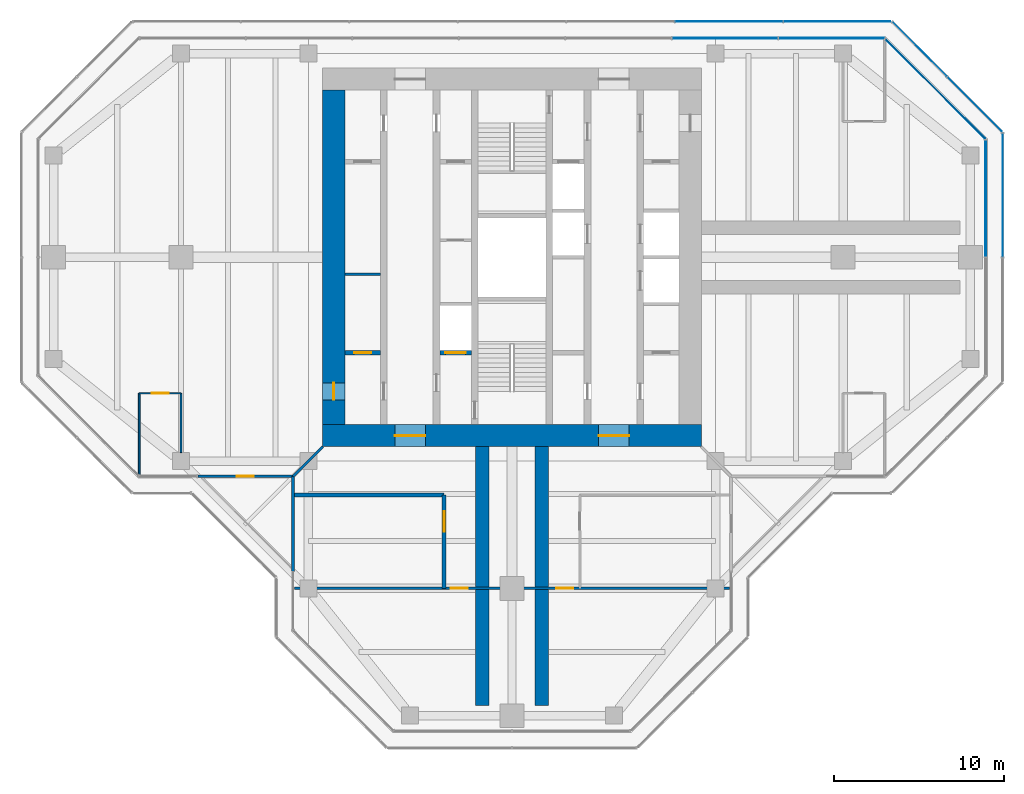
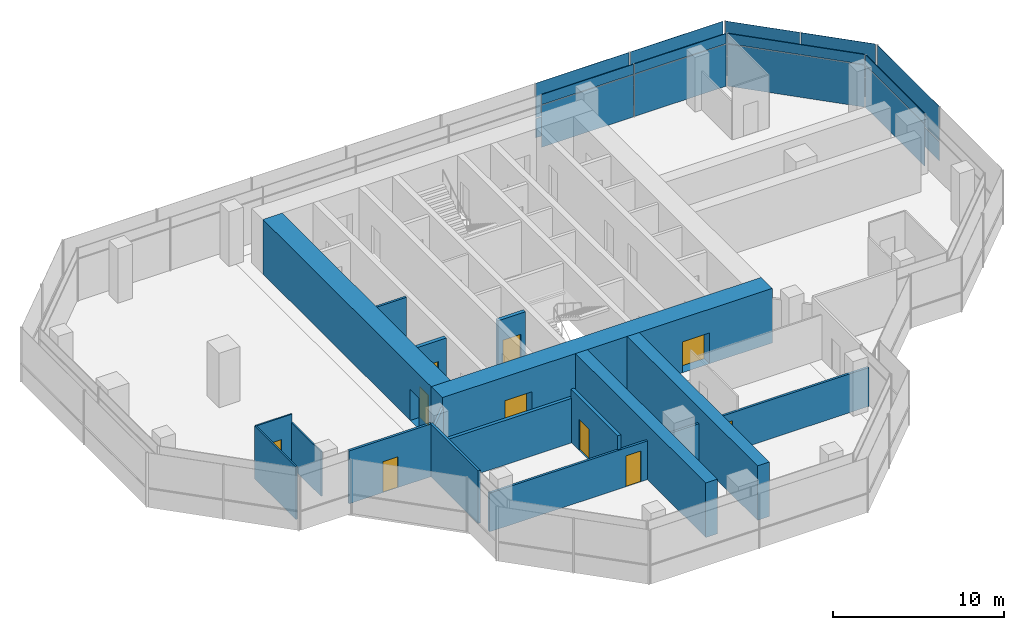
# One storey, part 11 of 15: 18 plates, 16 walls, 10 doors, 10 openings, 6 elements without a shape of their own.
"""IFC4 building model written with IfcOpenShell, lengths in metres."""

from ifc_helpers import new_model, si_unit, direction, frame, frame_2d, origin, origin_2d, place, context, subcontext, project, spatial, rectangle, extrude, material, layer, layer_set, type_object, element, fill, aggregate, save


model = new_model("IFC4")

# Units and contexts
model_context = context("Model", 3, precision=1e-05, world=origin(), true_north=direction((0.0, 1.0)))
body_context = subcontext(model_context, "Body", "Model", "MODEL_VIEW")
ifc_project = project(units=[si_unit("LENGTHUNIT", "METRE"), si_unit("AREAUNIT", "SQUARE_METRE"), si_unit("VOLUMEUNIT", "CUBIC_METRE"), si_unit("PLANEANGLEUNIT", "RADIAN"), si_unit("MASSUNIT", "GRAM", prefix="KILO")], contexts=[model_context])

# Site, building, storey
site_placement = place(None, origin())
site = spatial("IfcSite", under=ifc_project, at=site_placement, CompositionType="ELEMENT")
building_placement = place(site_placement, origin())
building = spatial("IfcBuilding", under=site, at=building_placement, Name="Mizan Broadcast Tower", CompositionType="ELEMENT")
storey_placement = place(building_placement, frame((0.0, 0.0, 279.0)))
storey = spatial("IfcBuildingStorey", under=building, at=storey_placement, Name="L66", CompositionType="ELEMENT", Elevation=279.0)

# Curtain wall, plate
ifc_material_1 = material(Name="Aluminium framed glazing", Category="aluminium")
curtain_wall_type_1 = type_object("IfcCurtainWallType", Name="INNER SKIN TOP ZONE", PredefinedType="USERDEFINED", material=ifc_material_1)
curtain_wall_1_placement = place(storey_placement, origin())
curtain_wall_1 = element("IfcCurtainWall", 1, at=curtain_wall_1_placement, inside=storey, type_object=curtain_wall_type_1, Name="Inner skin top zone L66 E end", ObjectType="INNER SKIN TOP ZONE", PredefinedType="USERDEFINED")
ifc_material_2 = material(Name="Double glazing, clear low-e", Category="glass")
ifc_layer_1 = layer(ifc_material_2, 0.028076171875)
ifc_layer_set_1 = layer_set([ifc_layer_1], Name="Double glazing, clear low-e")
plate_type_1 = type_object("IfcPlateType", Name="INNER SKIN GLAZING UNIT", PredefinedType="CURTAIN_PANEL", material=ifc_layer_set_1)
plate_1_placement = place(storey_placement, frame((27.89990234375, 3.46435546875, 0.0), z_axis=(0.0, 0.0, 1.0), x_axis=(0.0, 1.0, 0.0)))
plate_1 = element("IfcPlate", 2, at=plate_1_placement, type_object=plate_type_1, Name="Inner skin top zone L66 E end panel 2.1", PredefinedType="CURTAIN_PANEL", context=body_context, shape_type="SweptSolid", body=[
    extrude(rectangle(XDim=6.86865234375, YDim=0.028076171875, at=origin_2d()), origin(), (0.0, 0.0, 1.0), 3.0),
])

curtain_wall_2_placement = place(storey_placement, origin())
curtain_wall_2 = element("IfcCurtainWall", 3, at=curtain_wall_2_placement, inside=storey, type_object=curtain_wall_type_1, Name="Inner skin top zone L66 E chamfer", ObjectType="INNER SKIN TOP ZONE", PredefinedType="USERDEFINED")
plate_2_placement = place(storey_placement, frame((24.92919921875, 9.92919921875, 0.0), z_axis=(0.0, 0.0, 1.0), x_axis=(-0.707106781187, 0.707106781187, 0.0)))
plate_2 = element("IfcPlate", 4, at=plate_2_placement, type_object=plate_type_1, Name="Inner skin top zone L66 E chamfer panel 1.1", PredefinedType="CURTAIN_PANEL", context=body_context, shape_type="SweptSolid", body=[
    extrude(rectangle(XDim=8.282470703125, YDim=0.028076171875, at=origin_2d()), origin(), (0.0, 0.0, 1.0), 3.0),
])

# Curtain wall, plates
curtain_wall_3_placement = place(storey_placement, origin())
curtain_wall_3 = element("IfcCurtainWall", 5, at=curtain_wall_3_placement, inside=storey, type_object=curtain_wall_type_1, Name="Inner skin top zone L66 N end", ObjectType="INNER SKIN TOP ZONE", PredefinedType="USERDEFINED")
plate_3_placement = place(storey_placement, frame((18.806640625, 12.89990234375, 0.0), z_axis=(0.0, 0.0, 1.0), x_axis=(-1.0, 0.0, 0.0)))
plate_3 = element("IfcPlate", 6, at=plate_3_placement, type_object=plate_type_1, Name="Inner skin top zone L66 N end panel 1.1", PredefinedType="CURTAIN_PANEL", context=body_context, shape_type="SweptSolid", body=[
    extrude(rectangle(XDim=6.183837890625, YDim=0.028076171875, at=origin_2d()), origin(), (0.0, 0.0, 1.0), 3.0),
])
plate_4_placement = place(storey_placement, frame((12.5478515625, 12.89990234375, 0.0), z_axis=(0.0, 0.0, 1.0), x_axis=(-1.0, 0.0, 0.0)))
plate_4 = element("IfcPlate", 7, at=plate_4_placement, type_object=plate_type_1, Name="Inner skin top zone L66 N end panel 2.1", PredefinedType="CURTAIN_PANEL", context=body_context, shape_type="SweptSolid", body=[
    extrude(rectangle(XDim=6.2138671875, YDim=0.028076171875, at=origin_2d()), origin(), (0.0, 0.0, 1.0), 3.0),
])

# Plate
ifc_material_3 = material(Name="Insulated aluminium spandrel panel, pale anodised", Category="aluminium")
ifc_layer_2 = layer(ifc_material_3, 0.050048828125)
ifc_layer_set_2 = layer_set([ifc_layer_2], Name="Insulated aluminium spandrel panel, pale anodised")
plate_type_2 = type_object("IfcPlateType", Name="INNER SKIN SPANDREL PANEL", PredefinedType="CURTAIN_PANEL", material=ifc_layer_set_2)
plate_5_placement = place(storey_placement, frame((27.89990234375, 3.46435546875, 3.06005859375), z_axis=(0.0, 0.0, 1.0), x_axis=(0.0, 1.0, 0.0)))
plate_5 = element("IfcPlate", 8, at=plate_5_placement, type_object=plate_type_2, Name="Inner skin top zone L66 E end panel 2.2", PredefinedType="CURTAIN_PANEL", context=body_context, shape_type="SweptSolid", body=[
    extrude(rectangle(XDim=6.86865234375, YDim=0.050048828125, at=origin_2d()), origin(), (0.0, 0.0, 1.0), 0.7099609375),
])

aggregate(curtain_wall_1, [plate_1, plate_5])

plate_6_placement = place(storey_placement, frame((24.92919921875, 9.92919921875, 3.06005859375), z_axis=(0.0, 0.0, 1.0), x_axis=(-0.707106781187, 0.707106781187, 0.0)))
plate_6 = element("IfcPlate", 9, at=plate_6_placement, type_object=plate_type_2, Name="Inner skin top zone L66 E chamfer panel 1.2", PredefinedType="CURTAIN_PANEL", context=body_context, shape_type="SweptSolid", body=[
    extrude(rectangle(XDim=8.282470703125, YDim=0.050048828125, at=origin_2d()), origin(), (0.0, 0.0, 1.0), 0.7099609375),
])

aggregate(curtain_wall_2, [plate_2, plate_6])

plate_7_placement = place(storey_placement, frame((18.806640625, 12.89990234375, 3.06005859375), z_axis=(0.0, 0.0, 1.0), x_axis=(-1.0, 0.0, 0.0)))
plate_7 = element("IfcPlate", 10, at=plate_7_placement, type_object=plate_type_2, Name="Inner skin top zone L66 N end panel 1.2", PredefinedType="CURTAIN_PANEL", context=body_context, shape_type="SweptSolid", body=[
    extrude(rectangle(XDim=6.183837890625, YDim=0.050048828125, at=origin_2d()), origin(), (0.0, 0.0, 1.0), 0.7099609375),
])

plate_8_placement = place(storey_placement, frame((12.5478515625, 12.89990234375, 3.06005859375), z_axis=(0.0, 0.0, 1.0), x_axis=(-1.0, 0.0, 0.0)))
plate_8 = element("IfcPlate", 11, at=plate_8_placement, type_object=plate_type_2, Name="Inner skin top zone L66 N end panel 2.2", PredefinedType="CURTAIN_PANEL", context=body_context, shape_type="SweptSolid", body=[
    extrude(rectangle(XDim=6.2138671875, YDim=0.050048828125, at=origin_2d()), origin(), (0.0, 0.0, 1.0), 0.7099609375),
])

aggregate(curtain_wall_3, [plate_3, plate_7, plate_4, plate_8])

# Curtain wall, plates
ifc_material_4 = material(Name="Aluminium framed glazing", Category="aluminium")
curtain_wall_type_2 = type_object("IfcCurtainWallType", Name="OUTER SKIN", PredefinedType="USERDEFINED", material=ifc_material_4)
curtain_wall_4_placement = place(storey_placement, origin())
curtain_wall_4 = element("IfcCurtainWall", 12, at=curtain_wall_4_placement, inside=storey, type_object=curtain_wall_type_2, Name="Outer skin L66 E chamfer", ObjectType="OUTER SKIN", PredefinedType="USERDEFINED")
ifc_material_5 = material(Name="Laminated clear glass", Category="glass")
ifc_layer_3 = layer(ifc_material_5, 0.02001953125)
ifc_layer_set_3 = layer_set([ifc_layer_3], Name="Laminated clear glass")
plate_type_3 = type_object("IfcPlateType", Name="OUTER SKIN CLEAR GLASS", PredefinedType="CURTAIN_PANEL", material=ifc_layer_set_3)
plate_9_placement = place(storey_placement, frame((27.254150390625, 9.018798828125, 0.0), z_axis=(0.0, 0.0, 1.0), x_axis=(-0.707106781187, 0.707106781187, 0.0)))
plate_9 = element("IfcPlate", 13, at=plate_9_placement, type_object=plate_type_3, Name="Outer skin L66 E chamfer panel 1.1", PredefinedType="CURTAIN_PANEL", context=body_context, shape_type="SweptSolid", body=[
    extrude(rectangle(XDim=4.495361328125, YDim=0.02001953125, at=origin_2d()), origin(), (0.0, 0.0, 1.0), 1.3701171875),
])
plate_10_placement = place(storey_placement, frame((27.254150390625, 9.018798828125, 1.43017578125), z_axis=(0.0, 0.0, 1.0), x_axis=(-0.707106781187, 0.707106781187, 0.0)))
plate_10 = element("IfcPlate", 14, at=plate_10_placement, type_object=plate_type_3, Name="Outer skin L66 E chamfer panel 1.2", PredefinedType="CURTAIN_PANEL", context=body_context, shape_type="SweptSolid", body=[
    extrude(rectangle(XDim=4.495361328125, YDim=0.02001953125, at=origin_2d()), origin(), (0.0, 0.0, 1.0), 2.469970703125),
])

curtain_wall_5_placement = place(storey_placement, origin())
curtain_wall_5 = element("IfcCurtainWall", 15, at=curtain_wall_5_placement, inside=storey, type_object=curtain_wall_type_2, Name="Outer skin L66 N end", ObjectType="OUTER SKIN", PredefinedType="USERDEFINED")
plate_11_placement = place(storey_placement, frame((19.15673828125, 13.89990234375, 0.0), z_axis=(0.0, 0.0, 1.0), x_axis=(-1.0, 0.0, 0.0)))
plate_11 = element("IfcPlate", 16, at=plate_11_placement, type_object=plate_type_3, Name="Outer skin L66 N end panel 1.1", PredefinedType="CURTAIN_PANEL", context=body_context, shape_type="SweptSolid", body=[
    extrude(rectangle(XDim=6.272216796875, YDim=0.02001953125, at=origin_2d()), origin(), (0.0, 0.0, 1.0), 1.3701171875),
])
plate_12_placement = place(storey_placement, frame((19.15673828125, 13.89990234375, 1.43017578125), z_axis=(0.0, 0.0, 1.0), x_axis=(-1.0, 0.0, 0.0)))
plate_12 = element("IfcPlate", 17, at=plate_12_placement, type_object=plate_type_3, Name="Outer skin L66 N end panel 1.2", PredefinedType="CURTAIN_PANEL", context=body_context, shape_type="SweptSolid", body=[
    extrude(rectangle(XDim=6.272216796875, YDim=0.02001953125, at=origin_2d()), origin(), (0.0, 0.0, 1.0), 2.469970703125),
])
plate_13_placement = place(storey_placement, frame((12.784423828125, 13.89990234375, 0.0), z_axis=(0.0, 0.0, 1.0), x_axis=(-1.0, 0.0, 0.0)))
plate_13 = element("IfcPlate", 18, at=plate_13_placement, type_object=plate_type_3, Name="Outer skin L66 N end panel 2.1", PredefinedType="CURTAIN_PANEL", context=body_context, shape_type="SweptSolid", body=[
    extrude(rectangle(XDim=6.312255859375, YDim=0.02001953125, at=origin_2d()), origin(), (0.0, 0.0, 1.0), 1.3701171875),
])
plate_14_placement = place(storey_placement, frame((12.784423828125, 13.89990234375, 1.43017578125), z_axis=(0.0, 0.0, 1.0), x_axis=(-1.0, 0.0, 0.0)))
plate_14 = element("IfcPlate", 19, at=plate_14_placement, type_object=plate_type_3, Name="Outer skin L66 N end panel 2.2", PredefinedType="CURTAIN_PANEL", context=body_context, shape_type="SweptSolid", body=[
    extrude(rectangle(XDim=6.312255859375, YDim=0.02001953125, at=origin_2d()), origin(), (0.0, 0.0, 1.0), 2.469970703125),
])
aggregate(curtain_wall_5, [plate_11, plate_12, plate_13, plate_14])

curtain_wall_6_placement = place(storey_placement, origin())
curtain_wall_6 = element("IfcCurtainWall", 20, at=curtain_wall_6_placement, inside=storey, type_object=curtain_wall_type_2, Name="Outer skin L66 E end", ObjectType="OUTER SKIN", PredefinedType="USERDEFINED")
ifc_material_6 = material(Name="Perforated aluminium, pale anodised", Category="aluminium")
ifc_layer_4 = layer(ifc_material_6, 0.011962890625)
ifc_layer_set_4 = layer_set([ifc_layer_4], Name="Perforated aluminium, pale anodised")
plate_type_4 = type_object("IfcPlateType", Name="OUTER SKIN PERFORATED SCREEN", PredefinedType="USERDEFINED", material=ifc_layer_set_4)
plate_15_placement = place(storey_placement, frame((28.89990234375, 3.66650390625, 0.0), z_axis=(0.0, 0.0, 1.0), x_axis=(0.0, 1.0, 0.0)))
plate_15 = element("IfcPlate", 21, at=plate_15_placement, type_object=plate_type_4, Name="Outer skin L66 E end panel 2.1", ObjectType="SCREEN", PredefinedType="USERDEFINED", context=body_context, shape_type="SweptSolid", body=[
    extrude(rectangle(XDim=7.252685546875, YDim=0.011962890625, at=origin_2d()), origin(), (0.0, 0.0, 1.0), 1.3701171875),
])
plate_16_placement = place(storey_placement, frame((28.89990234375, 3.66650390625, 1.43017578125), z_axis=(0.0, 0.0, 1.0), x_axis=(0.0, 1.0, 0.0)))
plate_16 = element("IfcPlate", 22, at=plate_16_placement, type_object=plate_type_4, Name="Outer skin L66 E end panel 2.2", ObjectType="SCREEN", PredefinedType="USERDEFINED", context=body_context, shape_type="SweptSolid", body=[
    extrude(rectangle(XDim=7.252685546875, YDim=0.011962890625, at=origin_2d()), origin(), (0.0, 0.0, 1.0), 2.469970703125),
])
aggregate(curtain_wall_6, [plate_15, plate_16])

# Plate
plate_17_placement = place(storey_placement, frame((24.018798828125, 12.254150390625, 0.0), z_axis=(0.0, 0.0, 1.0), x_axis=(-0.707106781187, 0.707106781187, 0.0)))
plate_17 = element("IfcPlate", 23, at=plate_17_placement, type_object=plate_type_4, Name="Outer skin L66 E chamfer panel 2.1", ObjectType="SCREEN", PredefinedType="USERDEFINED", context=body_context, shape_type="SweptSolid", body=[
    extrude(rectangle(XDim=4.495361328125, YDim=0.011962890625, at=origin_2d()), origin(), (0.0, 0.0, 1.0), 1.3701171875),
])

plate_18_placement = place(storey_placement, frame((24.018798828125, 12.254150390625, 1.43017578125), z_axis=(0.0, 0.0, 1.0), x_axis=(-0.707106781187, 0.707106781187, 0.0)))
plate_18 = element("IfcPlate", 24, at=plate_18_placement, type_object=plate_type_4, Name="Outer skin L66 E chamfer panel 2.2", ObjectType="SCREEN", PredefinedType="USERDEFINED", context=body_context, shape_type="SweptSolid", body=[
    extrude(rectangle(XDim=4.495361328125, YDim=0.011962890625, at=origin_2d()), origin(), (0.0, 0.0, 1.0), 2.469970703125),
])

aggregate(curtain_wall_4, [plate_9, plate_10, plate_17, plate_18])

# Wall
ifc_material_7 = material(Name="Concrete blockwork", Category="masonry")
ifc_layer_5 = layer(ifc_material_7, 0.14990234375)
ifc_layer_set_5 = layer_set([ifc_layer_5], Name="Concrete blockwork")
wall_type_1 = type_object("IfcWallType", Name="CORE PARTITION 150", PredefinedType="SOLIDWALL", material=ifc_layer_set_5)
wall_1_placement = place(storey_placement, frame((-9.85009765625, -1.0, 0.0), z_axis=(0.0, 0.0, 1.0), x_axis=(1.0, 0.0, 0.0)))
element("IfcWall", 25, at=wall_1_placement, inside=storey, type_object=wall_type_1, Name="Core partition CORE/XP1", PredefinedType="SOLIDWALL", context=body_context, shape_type="SweptSolid", body=[
    extrude(rectangle(XDim=2.10009765625, YDim=0.14990234375, at=frame_2d((1.050048828125, 0.0))), origin(), (0.0, 0.0, 1.0), 3.77001953125),
])

# Wall, openings, doors
ifc_material_8 = material(Name="Concrete C70/85", Category="concrete")
ifc_layer_6 = layer(ifc_material_8, 1.300048828125)
ifc_layer_set_6 = layer_set([ifc_layer_6], Name="Concrete C70/85")
wall_type_2 = type_object("IfcWallType", Name="CORE WALL 1300", PredefinedType="SHEAR", material=ifc_layer_set_6)
wall_2_placement = place(storey_placement, frame((11.14990234375, -10.5, 0.0), z_axis=(0.0, 0.0, 1.0), x_axis=(-1.0, 0.0, 0.0)))
wall_2 = element("IfcWall", 26, at=wall_2_placement, inside=storey, type_object=wall_type_2, Name="Core wall S L66", PredefinedType="SHEAR", context=body_context, shape_type="SweptSolid", body=[
    extrude(rectangle(XDim=22.2998046875, YDim=1.300048828125, at=frame_2d((11.14990234375, 0.0))), origin(), (0.0, 0.0, 1.0), 3.89990234375),
])
opening_1_placement = place(wall_2_placement, frame((16.25, 0.0, 0.0)))
opening_1 = element("IfcOpeningElement", 27, at=opening_1_placement, cuts=wall_2, Name="Opening D18F", PredefinedType="OPENING", context=body_context, shape_type="SweptSolid", body=[
    extrude(rectangle(XDim=1.800048828125, YDim=2.199951171875, at=frame_2d((0.89990234375, 1.10009765625))), frame((0.0, 0.659912109375, 0.0), z_axis=(0.0, -1.0, 0.0), x_axis=(1.0, 0.0, 0.0)), (0.0, 0.0, 1.0), 1.320068359375),
])
opening_2_placement = place(wall_2_placement, frame((4.25, 0.0, 0.0)))
opening_2 = element("IfcOpeningElement", 28, at=opening_2_placement, cuts=wall_2, Name="Opening D18F", PredefinedType="OPENING", context=body_context, shape_type="SweptSolid", body=[
    extrude(rectangle(XDim=1.800048828125, YDim=2.199951171875, at=frame_2d((0.89990234375, 1.10009765625))), frame((0.0, 0.659912109375, 0.0), z_axis=(0.0, -1.0, 0.0), x_axis=(1.0, 0.0, 0.0)), (0.0, 0.0, 1.0), 1.320068359375),
])
ifc_material_9 = material(Name="Steel door leaf in steel frame", Category="steel")
door_type_1 = type_object("IfcDoorType", Name="LOBBY DOUBLE DOOR 1800 FD90", OperationType="DOUBLE_DOOR_DOUBLE_SWING", PredefinedType="DOOR", material=ifc_material_9)
door_1_placement = place(opening_1_placement, origin())
door_1 = element("IfcDoor", 29, at=door_1_placement, inside=storey, type_object=door_type_1, Name="West lift lobby south door", OperationType="DOUBLE_DOOR_DOUBLE_SWING", OverallHeight=2.199951171875, OverallWidth=1.800048828125, PredefinedType="DOOR", context=body_context, shape_type="SweptSolid", body=[
    extrude(rectangle(XDim=1.800048828125, YDim=2.199951171875, at=frame_2d((0.89990234375, 1.10009765625))), frame((0.0, 0.02490234375, 0.0), z_axis=(0.0, -1.0, 0.0), x_axis=(1.0, 0.0, 0.0)), (0.0, 0.0, 1.0), 0.050048828125),
])
fill(opening_1, door_1)
door_2_placement = place(opening_2_placement, origin())
door_2 = element("IfcDoor", 30, at=door_2_placement, inside=storey, type_object=door_type_1, Name="East lift lobby south door", OperationType="DOUBLE_DOOR_DOUBLE_SWING", OverallHeight=2.199951171875, OverallWidth=1.800048828125, PredefinedType="DOOR", context=body_context, shape_type="SweptSolid", body=[
    extrude(rectangle(XDim=1.800048828125, YDim=2.199951171875, at=frame_2d((0.89990234375, 1.10009765625))), frame((0.0, 0.02490234375, 0.0), z_axis=(0.0, -1.0, 0.0), x_axis=(1.0, 0.0, 0.0)), (0.0, 0.0, 1.0), 0.050048828125),
])
fill(opening_2, door_2)

# Wall, opening, door
wall_3_placement = place(storey_placement, frame((-10.5, 9.85009765625, 0.0), z_axis=(0.0, 0.0, 1.0), x_axis=(0.0, -1.0, 0.0)))
wall_3 = element("IfcWall", 31, at=wall_3_placement, inside=storey, type_object=wall_type_2, Name="Core wall W L66", PredefinedType="SHEAR", context=body_context, shape_type="SweptSolid", body=[
    extrude(rectangle(XDim=19.7001953125, YDim=1.300048828125, at=frame_2d((9.85009765625, 0.0))), origin(), (0.0, 0.0, 1.0), 3.89990234375),
])
opening_3_placement = place(wall_3_placement, frame((17.25, 0.0, 0.0)))
opening_3 = element("IfcOpeningElement", 32, at=opening_3_placement, cuts=wall_3, Name="Opening D10F", PredefinedType="OPENING", context=body_context, shape_type="SweptSolid", body=[
    extrude(rectangle(XDim=1.0, YDim=2.199951171875, at=frame_2d((0.5, 1.10009765625))), frame((0.0, 0.659912109375, 0.0), z_axis=(0.0, -1.0, 0.0), x_axis=(1.0, 0.0, 0.0)), (0.0, 0.0, 1.0), 1.320068359375),
])
ifc_material_10 = material(Name="Steel door leaf in steel frame", Category="steel")
door_type_2 = type_object("IfcDoorType", Name="FIRE DOOR 1000 FD90", OperationType="SINGLE_SWING_LEFT", PredefinedType="DOOR", material=ifc_material_10)
door_3_placement = place(opening_3_placement, origin())
door_3 = element("IfcDoor", 33, at=door_3_placement, inside=storey, type_object=door_type_2, Name="West core passage arm door", OperationType="SINGLE_SWING_RIGHT", OverallHeight=2.199951171875, OverallWidth=1.0, PredefinedType="DOOR", context=body_context, shape_type="SweptSolid", body=[
    extrude(rectangle(XDim=1.0, YDim=2.199951171875, at=frame_2d((0.5, 1.10009765625))), frame((0.0, 0.02490234375, 0.0), z_axis=(0.0, -1.0, 0.0), x_axis=(1.0, 0.0, 0.0)), (0.0, 0.0, 1.0), 0.050048828125),
])
fill(opening_3, door_3)

ifc_material_11 = material(Name="Aluminium framed glazed screen", Category="aluminium")
ifc_layer_7 = layer(ifc_material_11, 0.159912109375)
ifc_layer_set_7 = layer_set([ifc_layer_7], Name="Aluminium framed glazed screen")
wall_type_3 = type_object("IfcWallType", Name="GLAZED SCREEN WALL 160", PredefinedType="SOLIDWALL", material=ifc_layer_set_7)
wall_4_placement = place(storey_placement, frame((-18.5, -12.89990234375, 0.0), z_axis=(0.0, 0.0, 1.0), x_axis=(1.0, 0.0, 0.0)))
wall_4 = element("IfcWall", 34, at=wall_4_placement, inside=storey, type_object=wall_type_3, Name="Winter garden screen L66 W", PredefinedType="SOLIDWALL", context=body_context, shape_type="SweptSolid", body=[
    extrude(rectangle(XDim=5.60009765625, YDim=0.159912109375, at=frame_2d((2.800048828125, 0.0))), origin(), (0.0, 0.0, 1.0), 3.77001953125),
])
opening_4_placement = place(wall_4_placement, frame((2.300048828125, 0.0, 0.0)))
opening_4 = element("IfcOpeningElement", 35, at=opening_4_placement, cuts=wall_4, Name="Opening WGD", PredefinedType="OPENING", context=body_context, shape_type="SweptSolid", body=[
    extrude(rectangle(XDim=1.0, YDim=2.199951171875, at=frame_2d((0.5, 1.10009765625))), frame((0.0, 0.08984375, 0.0), z_axis=(0.0, -1.0, 0.0), x_axis=(1.0, 0.0, 0.0)), (0.0, 0.0, 1.0), 0.179931640625),
])
ifc_material_12 = material(Name="Aluminium framed glazed door", Category="aluminium")
door_type_3 = type_object("IfcDoorType", Name="WINTER GARDEN DOOR 1000 GLAZED", OperationType="SINGLE_SWING_LEFT", PredefinedType="DOOR", material=ifc_material_12)
door_4_placement = place(opening_4_placement, origin())
door_4 = element("IfcDoor", 36, at=door_4_placement, inside=storey, type_object=door_type_3, Name="Winter garden door L66 W", OperationType="SINGLE_SWING_RIGHT", OverallHeight=2.199951171875, OverallWidth=1.0, PredefinedType="DOOR", context=body_context, shape_type="SweptSolid", body=[
    extrude(rectangle(XDim=1.0, YDim=2.199951171875, at=frame_2d((0.5, 1.10009765625))), frame((0.0, 0.02490234375, 0.0), z_axis=(0.0, -1.0, 0.0), x_axis=(1.0, 0.0, 0.0)), (0.0, 0.0, 1.0), 0.050048828125),
])
fill(opening_4, door_4)

# Wall
wall_5_placement = place(storey_placement, frame((-12.89990234375, -12.89990234375, 0.0), z_axis=(0.0, 0.0, 1.0), x_axis=(0.0, -1.0, 0.0)))
element("IfcWall", 37, at=wall_5_placement, inside=storey, type_object=wall_type_3, Name="Winter garden screen L66 S", PredefinedType="SOLIDWALL", context=body_context, shape_type="SweptSolid", body=[
    extrude(rectangle(XDim=5.60009765625, YDim=0.159912109375, at=frame_2d((2.800048828125, 0.0))), origin(), (0.0, 0.0, 1.0), 3.77001953125),
])

# Wall, opening, door
ifc_material_13 = material(Name="Concrete blockwork", Category="masonry")
ifc_layer_8 = layer(ifc_material_13, 0.25)
ifc_layer_set_8 = layer_set([ifc_layer_8], Name="Concrete blockwork")
wall_type_4 = type_object("IfcWallType", Name="LOBBY ENCLOSURE WALL 250", PredefinedType="SOLIDWALL", material=ifc_layer_set_8)
wall_6_placement = place(storey_placement, frame((-9.85009765625, -5.625, 0.0), z_axis=(0.0, 0.0, 1.0), x_axis=(1.0, 0.0, 0.0)))
wall_6 = element("IfcWall", 38, at=wall_6_placement, inside=storey, type_object=wall_type_4, Name="Lobby enclosure wall CORE/BW1S", PredefinedType="SOLIDWALL", context=body_context, shape_type="SweptSolid", body=[
    extrude(rectangle(XDim=2.10009765625, YDim=0.25, at=frame_2d((1.050048828125, 0.0))), origin(), (0.0, 0.0, 1.0), 3.699951171875),
])
opening_5_placement = place(wall_6_placement, frame((0.550048828125, 0.0, 0.0)))
opening_5 = element("IfcOpeningElement", 39, at=opening_5_placement, cuts=wall_6, Name="Opening D10F", PredefinedType="OPENING", context=body_context, shape_type="SweptSolid", body=[
    extrude(rectangle(XDim=1.0, YDim=2.199951171875, at=frame_2d((0.5, 1.10009765625))), frame((0.0, 0.135009765625, 0.0), z_axis=(0.0, -1.0, 0.0), x_axis=(1.0, 0.0, 0.0)), (0.0, 0.0, 1.0), 0.27001953125),
])
door_5_placement = place(opening_5_placement, origin())
door_5 = element("IfcDoor", 40, at=door_5_placement, inside=storey, type_object=door_type_2, Name="Housekeeping store door", OperationType="SINGLE_SWING_RIGHT", OverallHeight=2.199951171875, OverallWidth=1.0, PredefinedType="DOOR", context=body_context, shape_type="SweptSolid", body=[
    extrude(rectangle(XDim=1.0, YDim=2.199951171875, at=frame_2d((0.5, 1.10009765625))), frame((0.0, 0.02490234375, 0.0), z_axis=(0.0, -1.0, 0.0), x_axis=(1.0, 0.0, 0.0)), (0.0, 0.0, 1.0), 0.050048828125),
])
fill(opening_5, door_5)

wall_7_placement = place(storey_placement, frame((-4.25, -5.625, 0.0), z_axis=(0.0, 0.0, 1.0), x_axis=(1.0, 0.0, 0.0)))
wall_7 = element("IfcWall", 41, at=wall_7_placement, inside=storey, type_object=wall_type_4, Name="Lobby enclosure wall CORE/BW2S", PredefinedType="SOLIDWALL", context=body_context, shape_type="SweptSolid", body=[
    extrude(rectangle(XDim=1.85009765625, YDim=0.25, at=frame_2d((0.925048828125, 0.0))), origin(), (0.0, 0.0, 1.0), 3.699951171875),
])
opening_6_placement = place(wall_7_placement, frame((0.324951171875, 0.0, 0.0)))
opening_6 = element("IfcOpeningElement", 42, at=opening_6_placement, cuts=wall_7, Name="Opening LDF", PredefinedType="OPENING", context=body_context, shape_type="SweptSolid", body=[
    extrude(rectangle(XDim=1.199951171875, YDim=2.199951171875, at=frame_2d((0.60009765625, 1.10009765625))), frame((0.0, 0.135009765625, 0.0), z_axis=(0.0, -1.0, 0.0), x_axis=(1.0, 0.0, 0.0)), (0.0, 0.0, 1.0), 0.27001953125),
])
ifc_material_14 = material(Name="Steel door leaf in steel frame", Category="steel")
door_type_4 = type_object("IfcDoorType", Name="FIREFIGHTING LIFT LANDING DOOR 1200", OperationType="SLIDING_TO_LEFT", PredefinedType="DOOR", material=ifc_material_14)
door_6_placement = place(opening_6_placement, origin())
door_6 = element("IfcDoor", 43, at=door_6_placement, inside=storey, type_object=door_type_4, Name="Landing door FF1", OperationType="SLIDING_TO_LEFT", OverallHeight=2.199951171875, OverallWidth=1.199951171875, PredefinedType="DOOR", context=body_context, shape_type="SweptSolid", body=[
    extrude(rectangle(XDim=1.199951171875, YDim=2.199951171875, at=frame_2d((0.60009765625, 1.10009765625))), frame((0.0, 0.02490234375, 0.0), z_axis=(0.0, -1.0, 0.0), x_axis=(1.0, 0.0, 0.0)), (0.0, 0.0, 1.0), 0.050048828125),
])
fill(opening_6, door_6)

# Wall, openings, doors
ifc_material_15 = material(Name="Gypsum board on steel studs", Category="steel")
ifc_layer_9 = layer(ifc_material_15, 0.14990234375)
ifc_layer_set_9 = layer_set([ifc_layer_9], Name="Gypsum board on steel studs")
wall_type_5 = type_object("IfcWallType", Name="PARTITION 150", PredefinedType="PARTITIONING", material=ifc_layer_set_9)
wall_8_placement = place(storey_placement, frame((-12.820068359375, -19.5, 0.0), z_axis=(0.0, 0.0, 1.0), x_axis=(1.0, 0.0, 0.0)))
wall_8 = element("IfcWall", 44, at=wall_8_placement, inside=storey, type_object=wall_type_5, Name="Partition PT/SX1", PredefinedType="PARTITIONING", context=body_context, shape_type="SweptSolid", body=[
    extrude(rectangle(XDim=25.64013671875, YDim=0.14990234375, at=frame_2d((12.820068359375, 0.0))), origin(), (0.0, 0.0, 1.0), 2.77001953125),
])
opening_7_placement = place(wall_8_placement, frame((15.419921875, 0.0, 0.0)))
opening_7 = element("IfcOpeningElement", 45, at=opening_7_placement, cuts=wall_8, Name="Opening D10", PredefinedType="OPENING", context=body_context, shape_type="SweptSolid", body=[
    extrude(rectangle(XDim=1.0, YDim=2.199951171875, at=frame_2d((0.5, 1.10009765625))), frame((0.0, 0.0849609375, 0.0), z_axis=(0.0, -1.0, 0.0), x_axis=(1.0, 0.0, 0.0)), (0.0, 0.0, 1.0), 0.169921875),
])
opening_8_placement = place(wall_8_placement, frame((9.219970703125, 0.0, 0.0)))
opening_8 = element("IfcOpeningElement", 46, at=opening_8_placement, cuts=wall_8, Name="Opening D10", PredefinedType="OPENING", context=body_context, shape_type="SweptSolid", body=[
    extrude(rectangle(XDim=1.0, YDim=2.199951171875, at=frame_2d((0.5, 1.10009765625))), frame((0.0, 0.0849609375, 0.0), z_axis=(0.0, -1.0, 0.0), x_axis=(1.0, 0.0, 0.0)), (0.0, 0.0, 1.0), 0.169921875),
])
ifc_material_16 = material(Name="Timber door leaf in aluminium frame", Category="wood")
door_type_5 = type_object("IfcDoorType", Name="ROOM DOOR 1000", OperationType="SINGLE_SWING_LEFT", PredefinedType="DOOR", material=ifc_material_16)
door_7_placement = place(opening_7_placement, origin())
door_7 = element("IfcDoor", 47, at=door_7_placement, inside=storey, type_object=door_type_5, Name="Editorial office door", OperationType="SINGLE_SWING_RIGHT", OverallHeight=2.199951171875, OverallWidth=1.0, PredefinedType="DOOR", context=body_context, shape_type="SweptSolid", body=[
    extrude(rectangle(XDim=1.0, YDim=2.199951171875, at=frame_2d((0.5, 1.10009765625))), frame((0.0, 0.02490234375, 0.0), z_axis=(0.0, -1.0, 0.0), x_axis=(1.0, 0.0, 0.0)), (0.0, 0.0, 1.0), 0.050048828125),
])
fill(opening_7, door_7)
door_8_placement = place(opening_8_placement, origin())
door_8 = element("IfcDoor", 48, at=door_8_placement, inside=storey, type_object=door_type_5, Name="Editorial office door", OperationType="SINGLE_SWING_LEFT", OverallHeight=2.199951171875, OverallWidth=1.0, PredefinedType="DOOR", context=body_context, shape_type="SweptSolid", body=[
    extrude(rectangle(XDim=1.0, YDim=2.199951171875, at=frame_2d((0.5, 1.10009765625))), frame((0.0, 0.02490234375, 0.0), z_axis=(0.0, -1.0, 0.0), x_axis=(1.0, 0.0, 0.0)), (0.0, 0.0, 1.0), 0.050048828125),
])
fill(opening_8, door_8)

# Wall
wall_9_placement = place(storey_placement, frame((-11.14990234375, -11.14990234375, 0.0), z_axis=(0.0, 0.0, 1.0), x_axis=(-0.707106781187, -0.707106781187, 0.0)))
element("IfcWall", 49, at=wall_9_placement, inside=storey, type_object=wall_type_5, Name="Partition PT/DGWS", PredefinedType="PARTITIONING", context=body_context, shape_type="SweptSolid", body=[
    extrude(rectangle(XDim=2.460693359375, YDim=0.14990234375, at=frame_2d((1.23046875, 0.0))), origin(), (0.0, 0.0, 1.0), 3.219970703125),
])

# Wall, opening, door
ifc_material_17 = material(Name="Twin steel stud acoustic partition, four layers of gypsum board", Category="steel")
ifc_layer_10 = layer(ifc_material_17, 0.22509765625)
ifc_layer_set_10 = layer_set([ifc_layer_10], Name="Twin steel stud acoustic partition, four layers of gypsum board")
wall_type_6 = type_object("IfcWallType", Name="PARTITION ACOUSTIC 225", PredefinedType="PARTITIONING", material=ifc_layer_set_10)
wall_10_placement = place(storey_placement, frame((-4.0, -14.0, 0.0), z_axis=(0.0, 0.0, 1.0), x_axis=(0.0, -1.0, 0.0)))
wall_10 = element("IfcWall", 50, at=wall_10_placement, inside=storey, type_object=wall_type_6, Name="Acoustic partition PT/SCN0", PredefinedType="PARTITIONING", context=body_context, shape_type="SweptSolid", body=[
    extrude(rectangle(XDim=5.5, YDim=0.22509765625, at=frame_2d((2.75, 0.0))), origin(), (0.0, 0.0, 1.0), 3.77001953125),
])
opening_9_placement = place(wall_10_placement, frame((0.949951171875, 0.0, 0.0)))
opening_9 = element("IfcOpeningElement", 51, at=opening_9_placement, cuts=wall_10, Name="Opening D12A", PredefinedType="OPENING", context=body_context, shape_type="SweptSolid", body=[
    extrude(rectangle(XDim=1.199951171875, YDim=2.199951171875, at=frame_2d((0.60009765625, 1.10009765625))), frame((0.0, 0.12255859375, 0.0), z_axis=(0.0, -1.0, 0.0), x_axis=(1.0, 0.0, 0.0)), (0.0, 0.0, 1.0), 0.2451171875),
])
ifc_material_18 = material(Name="Timber door leaf in aluminium frame", Category="wood")
door_type_6 = type_object("IfcDoorType", Name="ACOUSTIC DOOR 1200", OperationType="SINGLE_SWING_LEFT", PredefinedType="DOOR", material=ifc_material_18)
door_9_placement = place(opening_9_placement, origin())
door_9 = element("IfcDoor", 52, at=door_9_placement, inside=storey, type_object=door_type_6, Name="Editorial board room door", OperationType="SINGLE_SWING_LEFT", OverallHeight=2.199951171875, OverallWidth=1.199951171875, PredefinedType="DOOR", context=body_context, shape_type="SweptSolid", body=[
    extrude(rectangle(XDim=1.199951171875, YDim=2.199951171875, at=frame_2d((0.60009765625, 1.10009765625))), frame((0.0, 0.02490234375, 0.0), z_axis=(0.0, -1.0, 0.0), x_axis=(1.0, 0.0, 0.0)), (0.0, 0.0, 1.0), 0.050048828125),
])
fill(opening_9, door_9)

# Wall
wall_11_placement = place(storey_placement, frame((-4.0, -14.0, 0.0), z_axis=(0.0, 0.0, 1.0), x_axis=(-1.0, 0.0, 0.0)))
element("IfcWall", 53, at=wall_11_placement, inside=storey, type_object=wall_type_6, Name="Acoustic partition PT/SQN1400", PredefinedType="PARTITIONING", context=body_context, shape_type="SweptSolid", body=[
    extrude(rectangle(XDim=8.820068359375, YDim=0.22509765625, at=frame_2d((4.41015625, 0.0))), origin(), (0.0, 0.0, 1.0), 3.179931640625),
])

# Wall, opening, door
ifc_material_19 = material(Name="Glazed aluminium partition on aluminium track", Category="aluminium")
ifc_layer_11 = layer(ifc_material_19, 0.10009765625)
ifc_layer_set_11 = layer_set([ifc_layer_11], Name="Glazed aluminium partition on aluminium track")
wall_type_7 = type_object("IfcWallType", Name="PARTITION GLAZED OFFICE FRONT 100", PredefinedType="PARTITIONING", material=ifc_layer_set_11)
wall_12_placement = place(storey_placement, frame((-19.5, -8.0, 0.0), z_axis=(0.0, 0.0, 1.0), x_axis=(-1.0, 0.0, 0.0)))
wall_12 = element("IfcWall", 54, at=wall_12_placement, inside=storey, type_object=wall_type_7, Name="Glazed office front PT/WCP0", PredefinedType="PARTITIONING", context=body_context, shape_type="SweptSolid", body=[
    extrude(rectangle(XDim=2.458984375, YDim=0.10009765625, at=frame_2d((1.2294921875, 0.0))), origin(), (0.0, 0.0, 1.0), 3.77001953125),
])
opening_10_placement = place(wall_12_placement, frame((0.7294921875, 0.0, 0.0)))
opening_10 = element("IfcOpeningElement", 55, at=opening_10_placement, cuts=wall_12, Name="Opening D10O", PredefinedType="OPENING", context=body_context, shape_type="SweptSolid", body=[
    extrude(rectangle(XDim=1.0, YDim=2.199951171875, at=frame_2d((0.5, 1.10009765625))), frame((0.0, 0.06005859375, 0.0), z_axis=(0.0, -1.0, 0.0), x_axis=(1.0, 0.0, 0.0)), (0.0, 0.0, 1.0), 0.1201171875),
])
ifc_material_20 = material(Name="Timber door leaf in aluminium frame", Category="wood")
door_type_7 = type_object("IfcDoorType", Name="OFFICE DOOR 1000 GLAZED", OperationType="SINGLE_SWING_LEFT", PredefinedType="DOOR", material=ifc_material_20)
door_10_placement = place(opening_10_placement, origin())
door_10 = element("IfcDoor", 56, at=door_10_placement, inside=storey, type_object=door_type_7, Name="Director's office door", OperationType="SINGLE_SWING_LEFT", OverallHeight=2.199951171875, OverallWidth=1.0, PredefinedType="DOOR", context=body_context, shape_type="SweptSolid", body=[
    extrude(rectangle(XDim=1.0, YDim=2.199951171875, at=frame_2d((0.5, 1.10009765625))), frame((0.0, 0.02490234375, 0.0), z_axis=(0.0, -1.0, 0.0), x_axis=(1.0, 0.0, 0.0)), (0.0, 0.0, 1.0), 0.050048828125),
])
fill(opening_10, door_10)

# Walls
wall_13_placement = place(storey_placement, frame((-19.5, -8.0, 0.0), z_axis=(0.0, 0.0, 1.0), x_axis=(0.0, -1.0, 0.0)))
element("IfcWall", 57, at=wall_13_placement, inside=storey, type_object=wall_type_7, Name="Glazed office front PT/WQP1950", PredefinedType="PARTITIONING", context=body_context, shape_type="SweptSolid", body=[
    extrude(rectangle(XDim=3.5, YDim=0.10009765625, at=frame_2d((1.75, 0.0))), origin(), (0.0, 0.0, 1.0), 3.179931640625),
])
wall_14_placement = place(storey_placement, frame((-21.958984375, -8.0, 0.0), z_axis=(0.0, 0.0, 1.0), x_axis=(0.0, -1.0, 0.0)))
element("IfcWall", 58, at=wall_14_placement, inside=storey, type_object=wall_type_7, Name="Glazed office front PT/WQP2196", PredefinedType="PARTITIONING", context=body_context, shape_type="SweptSolid", body=[
    extrude(rectangle(XDim=4.820068359375, YDim=0.10009765625, at=frame_2d((2.41015625, 0.0))), origin(), (0.0, 0.0, 1.0), 3.77001953125),
])
ifc_material_21 = material(Name="Concrete C70/85", Category="concrete")
ifc_layer_12 = layer(ifc_material_21, 0.800048828125)
ifc_layer_set_12 = layer_set([ifc_layer_12], Name="Concrete C70/85")
wall_type_8 = type_object("IfcWallType", Name="SPINE WALL 800", PredefinedType="SHEAR", material=ifc_layer_set_12)
for number, where, z_axis, x_axis, name in (
    (59, (-1.75, -11.14990234375, 0.0), (0.0, 0.0, 1.0), (0.0, -1.0, 0.0), "Spine wall SR L66"),
    (60, (1.75, -11.14990234375, 0.0), (0.0, 0.0, 1.0), (0.0, -1.0, 0.0), "Spine wall SL L66"),
):
    element("IfcWall", number, at=place(storey_placement, frame(where, z_axis=z_axis, x_axis=x_axis)), inside=storey, type_object=wall_type_8, Name=name, PredefinedType="SHEAR", context=body_context, shape_type="SweptSolid", body=[
        extrude(rectangle(XDim=15.25, YDim=0.800048828125, at=frame_2d((7.625, 0.0))), origin(), (0.0, 0.0, 1.0), 3.89990234375),
    ])

save(model, "model.ifc")
